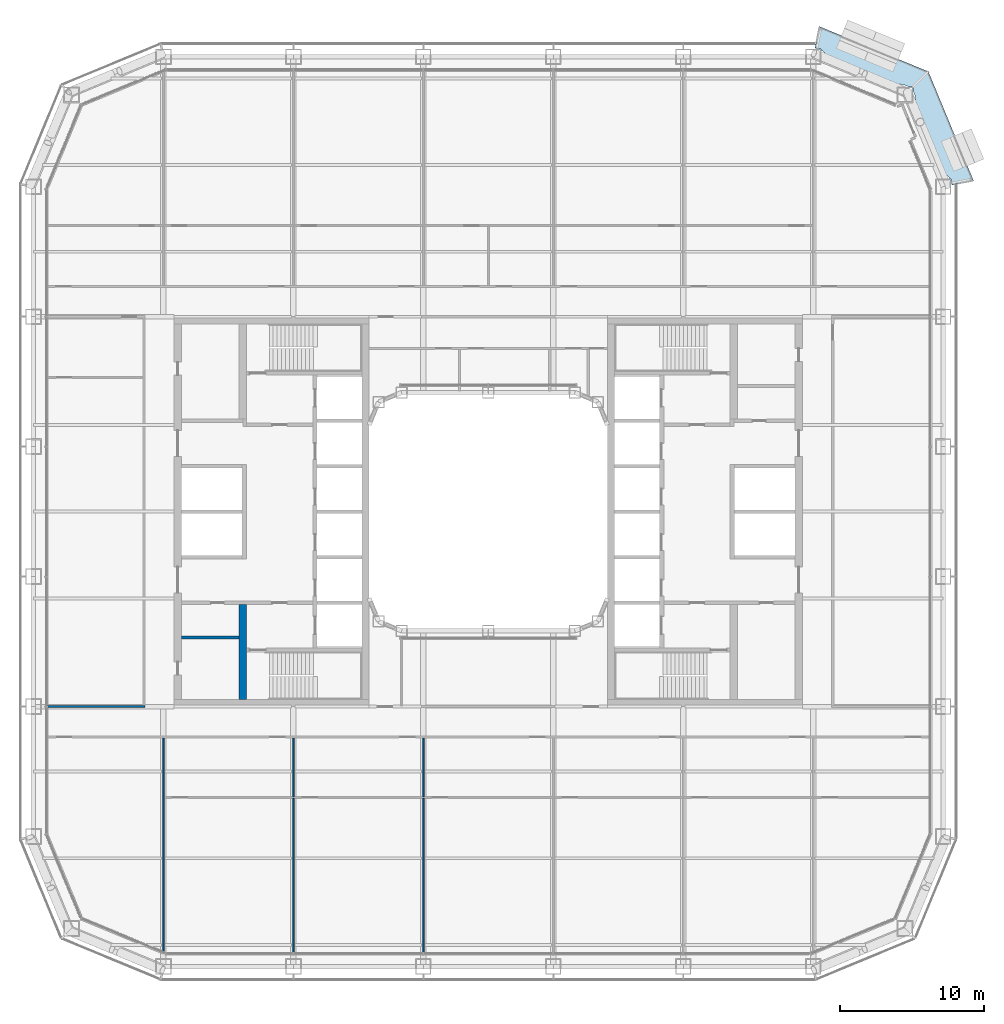
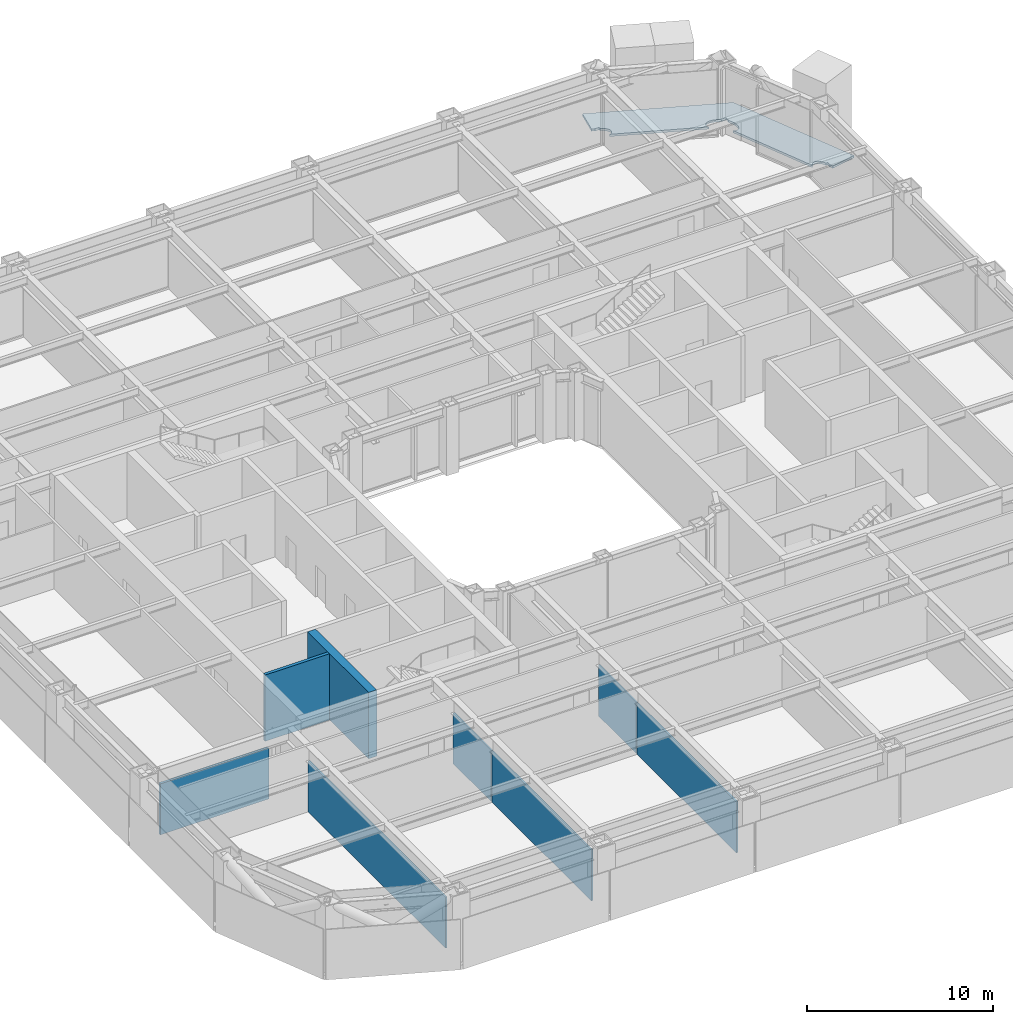
# One storey, part 12 of 30: 8 walls, 1 slab.
"""IFC4 building model written with IfcOpenShell, lengths in metres."""

from ifc_helpers import new_model, si_unit, direction, frame, frame_2d, origin, place, context, subcontext, project, spatial, polyline, rectangle, outline, extrude, material, layer, layer_set, type_object, element, save


model = new_model("IFC4")

# Units and contexts
model_context = context("Model", 3, precision=1e-05, world=origin(), true_north=direction((0.0, 1.0)))
body_context = subcontext(model_context, "Body", "Model", "MODEL_VIEW")
ifc_project = project(units=[si_unit("LENGTHUNIT", "METRE"), si_unit("AREAUNIT", "SQUARE_METRE"), si_unit("VOLUMEUNIT", "CUBIC_METRE"), si_unit("PLANEANGLEUNIT", "RADIAN"), si_unit("MASSUNIT", "GRAM", prefix="KILO")], contexts=[model_context])

# Site, building, storey
site_placement = place(None, origin())
site = spatial("IfcSite", under=ifc_project, at=site_placement, CompositionType="ELEMENT")
building_placement = place(site_placement, origin())
building = spatial("IfcBuilding", under=site, at=building_placement, Name="Siwar Civic Tower", CompositionType="ELEMENT")
storey_placement = place(building_placement, frame((0.0, 0.0, 26.699951171875)))
storey = spatial("IfcBuildingStorey", under=building, at=storey_placement, Name="L05", CompositionType="ELEMENT", Elevation=26.699951171875)

# Slab
ifc_material_1 = material(Name="Concrete C40/50", Category="concrete")
ifc_layer_1 = layer(ifc_material_1, 0.14990234375)
ifc_layer_set_1 = layer_set([ifc_layer_1], Name="Concrete C40/50")
slab_type = type_object("IfcSlabType", Name="ENV-BALCONY DECK 150", PredefinedType="FLOOR", material=ifc_layer_set_1)
slab_placement = place(storey_placement, frame((0.0, 0.0, -0.1494140625)))
element("IfcSlab", 1, at=slab_placement, inside=storey, type_object=slab_type, Name="Tree balcony deck NE", PredefinedType="FLOOR", context=body_context, shape_type="SweptSolid", body=[
    extrude(outline(polyline([(29.4140625, 29.4140625), (29.4140625, 29.133056640625), (29.478759765625, 28.977294921875), (29.49169921875, 28.9462890625), (29.514404296875, 28.891845703125), (29.517578125, 28.884033203125), (29.5185546875, 28.881591796875), (29.5439453125, 28.814208984375), (29.545654296875, 28.80908203125), (29.56591796875, 28.739990234375), (29.567138671875, 28.73486328125), (29.58251953125, 28.66455078125), (29.583984375, 28.6572265625), (29.591064453125, 28.59375), (29.59130859375, 28.59130859375), (29.59716796875, 28.51953125), (29.597412109375, 28.51318359375), (29.59716796875, 28.506591796875), (29.592041015625, 28.45068359375), (29.59130859375, 28.445068359375), (29.58203125, 28.389404296875), (29.5810546875, 28.38427734375), (29.56787109375, 28.32958984375), (29.566162109375, 28.3232421875), (29.56396484375, 28.3173828125), (29.544189453125, 28.271484375), (29.540771484375, 28.264404296875), (29.53662109375, 28.2578125), (29.5107421875, 28.221435546875), (29.507080078125, 28.216552734375), (29.502685546875, 28.2119140625), (29.498291015625, 28.20751953125), (29.467041015625, 28.180908203125), (29.46142578125, 28.1767578125), (29.45556640625, 28.173095703125), (29.449462890625, 28.169921875), (29.413330078125, 28.1533203125), (29.408447265625, 28.151123046875), (29.37109375, 28.13720703125), (29.364501953125, 28.135009765625), (29.35791015625, 28.133544921875), (29.35107421875, 28.132568359375), (29.31005859375, 28.129150390625), (29.3037109375, 28.12890625), (29.297607421875, 28.129150390625), (29.29150390625, 28.1298828125), (29.247314453125, 28.137451171875), (29.23974609375, 28.13916015625), (29.232177734375, 28.1416015625), (29.185791015625, 28.159912109375), (29.179931640625, 28.16259765625), (29.17431640625, 28.16552734375), (29.14599609375, 28.182861328125), (31.20556640625, 23.210693359375), (31.217529296875, 23.260986328125), (31.21923828125, 23.26708984375), (31.2216796875, 23.273193359375), (31.2412109375, 23.31884765625), (31.244873046875, 23.325927734375), (31.2490234375, 23.332763671875), (31.274658203125, 23.369140625), (31.278564453125, 23.3740234375), (31.28271484375, 23.378662109375), (31.287353515625, 23.3828125), (31.318603515625, 23.40966796875), (31.323974609375, 23.413818359375), (31.329833984375, 23.41748046875), (31.3359375, 23.420654296875), (31.3720703125, 23.437255859375), (31.376953125, 23.439453125), (31.414306640625, 23.453369140625), (31.4208984375, 23.45556640625), (31.427734375, 23.45703125), (31.4345703125, 23.4580078125), (31.4755859375, 23.46142578125), (31.481689453125, 23.461669921875), (31.488037109375, 23.461181640625), (31.494140625, 23.46044921875), (31.5380859375, 23.453125), (31.5458984375, 23.451416015625), (31.55322265625, 23.448974609375), (31.599609375, 23.4306640625), (31.60546875, 23.427978515625), (31.611083984375, 23.4248046875), (31.659423828125, 23.3955078125), (31.66357421875, 23.392578125), (31.709716796875, 23.360107421875), (31.717529296875, 23.353515625), (31.764404296875, 23.309814453125), (31.76806640625, 23.30615234375), (31.8115234375, 23.25927734375), (31.815185546875, 23.255126953125), (31.85498046875, 23.205322265625), (31.859619140625, 23.198974609375), (31.898681640625, 23.138671875), (31.9013671875, 23.134033203125), (31.93603515625, 23.07080078125), (31.9384765625, 23.06591796875), (31.94580078125, 23.050048828125), (32.050048828125, 23.050048828125), (32.050048828125, 22.80517578125), (32.0927734375, 22.70263671875), (32.095947265625, 22.69482421875), (32.095947265625, 22.69482421875), (32.098388671875, 22.688232421875), (32.1064453125, 22.662109375), (32.108154296875, 22.6552734375), (32.109375, 22.648193359375), (32.1123046875, 22.621826171875), (33.60009765625, 22.917724609375), (30.47119140625, 30.47119140625), (22.917724609375, 33.60009765625), (22.62109375, 32.1083984375), (22.6259765625, 32.1083984375), (22.6484375, 32.107421875), (22.649658203125, 32.107421875), (22.6513671875, 32.107421875), (22.655029296875, 32.10693359375), (22.656982421875, 32.106689453125), (22.65771484375, 32.1064453125), (22.658447265625, 32.1064453125), (22.66552734375, 32.104736328125), (22.686279296875, 32.098876953125), (22.69482421875, 32.095947265625), (22.70263671875, 32.0927734375), (22.719970703125, 32.085693359375), (22.72607421875, 32.0830078125), (22.749267578125, 32.0732421875), (22.7587890625, 32.0693359375), (22.80517578125, 32.050048828125), (23.050048828125, 32.050048828125), (23.050048828125, 31.94580078125), (23.06591796875, 31.9384765625), (23.07080078125, 31.93603515625), (23.134033203125, 31.9013671875), (23.138671875, 31.898681640625), (23.198974609375, 31.859619140625), (23.205322265625, 31.85498046875), (23.255126953125, 31.815185546875), (23.25927734375, 31.8115234375), (23.30615234375, 31.76806640625), (23.309814453125, 31.764404296875), (23.353515625, 31.717529296875), (23.360107421875, 31.709716796875), (23.392578125, 31.66357421875), (23.3955078125, 31.659423828125), (23.4248046875, 31.611083984375), (23.427978515625, 31.60546875), (23.4306640625, 31.599609375), (23.448974609375, 31.55322265625), (23.451416015625, 31.5458984375), (23.453125, 31.5380859375), (23.46044921875, 31.494140625), (23.461181640625, 31.488037109375), (23.461669921875, 31.481689453125), (23.46142578125, 31.4755859375), (23.4580078125, 31.4345703125), (23.45703125, 31.427734375), (23.45556640625, 31.4208984375), (23.453369140625, 31.414306640625), (23.439453125, 31.376953125), (23.437255859375, 31.3720703125), (23.420654296875, 31.3359375), (23.41748046875, 31.329833984375), (23.413818359375, 31.323974609375), (23.40966796875, 31.318603515625), (23.3828125, 31.287353515625), (23.378662109375, 31.28271484375), (23.3740234375, 31.278564453125), (23.369140625, 31.274658203125), (23.332763671875, 31.2490234375), (23.325927734375, 31.244873046875), (23.31884765625, 31.2412109375), (23.273193359375, 31.2216796875), (23.26708984375, 31.21923828125), (23.260986328125, 31.217529296875), (23.210693359375, 31.20556640625), (28.182861328125, 29.14599609375), (28.16552734375, 29.17431640625), (28.16259765625, 29.179931640625), (28.159912109375, 29.185791015625), (28.1416015625, 29.232177734375), (28.13916015625, 29.23974609375), (28.137451171875, 29.247314453125), (28.1298828125, 29.29150390625), (28.129150390625, 29.297607421875), (28.12890625, 29.3037109375), (28.129150390625, 29.31005859375), (28.132568359375, 29.35107421875), (28.133544921875, 29.35791015625), (28.135009765625, 29.364501953125), (28.13720703125, 29.37109375), (28.151123046875, 29.408447265625), (28.1533203125, 29.413330078125), (28.169921875, 29.449462890625), (28.173095703125, 29.45556640625), (28.1767578125, 29.46142578125), (28.180908203125, 29.467041015625), (28.20751953125, 29.498291015625), (28.2119140625, 29.502685546875), (28.216552734375, 29.507080078125), (28.221435546875, 29.5107421875), (28.2578125, 29.53662109375), (28.264404296875, 29.540771484375), (28.271484375, 29.544189453125), (28.3173828125, 29.56396484375), (28.3232421875, 29.566162109375), (28.32958984375, 29.56787109375), (28.38427734375, 29.5810546875), (28.389404296875, 29.58203125), (28.445068359375, 29.59130859375), (28.45068359375, 29.592041015625), (28.506591796875, 29.59716796875), (28.51318359375, 29.597412109375), (28.51953125, 29.59716796875), (28.59130859375, 29.59130859375), (28.59375, 29.591064453125), (28.6572265625, 29.583984375), (28.66455078125, 29.58251953125), (28.73486328125, 29.567138671875), (28.739990234375, 29.56591796875), (28.80908203125, 29.545654296875), (28.814208984375, 29.5439453125), (28.881591796875, 29.5185546875), (28.884033203125, 29.517578125), (28.891845703125, 29.514404296875), (28.9462890625, 29.49169921875), (28.977294921875, 29.478759765625), (29.10546875, 29.425537109375), (29.116943359375, 29.420654296875), (29.133056640625, 29.4140625), (29.4140625, 29.4140625)])), origin(), (0.0, 0.0, 1.0), 0.1494140625),
])

# Walls
ifc_material_2 = material(Name="Gypsum board on steel studs", Category="steel")
ifc_layer_2 = layer(ifc_material_2, 0.199951171875)
ifc_layer_set_2 = layer_set([ifc_layer_2], Name="Gypsum board on steel studs")
wall_type_1 = type_object("IfcWallType", Name="CORE-PARTITION-200", PredefinedType="PARTITIONING", material=ifc_layer_set_2)
wall_1_placement = place(storey_placement, frame((-17.25, -8.699951171875, 0.0), z_axis=(0.0, 0.0, 1.0), x_axis=(-1.0, 0.0, 0.0)))
element("IfcWall", 2, at=wall_1_placement, inside=storey, type_object=wall_type_1, Name="Core partition W", PredefinedType="PARTITIONING", context=body_context, shape_type="SweptSolid", body=[
    extrude(rectangle(XDim=4.0, YDim=0.199951171875, at=frame_2d((2.0, 0.0))), origin(), (0.0, 0.0, 1.0), 4.35009765625),
])
ifc_material_3 = material(Name="Concrete C60/75", Category="concrete")
ifc_layer_3 = layer(ifc_material_3, 0.5)
ifc_layer_set_3 = layer_set([ifc_layer_3], Name="Concrete C60/75")
wall_type_2 = type_object("IfcWallType", Name="CORE-WALL-RC500", PredefinedType="SHEAR", material=ifc_layer_set_3)
wall_2_placement = place(storey_placement, frame((-17.0, -13.0, 0.0), z_axis=(0.0, 0.0, 1.0), x_axis=(0.0, 1.0, 0.0)))
element("IfcWall", 3, at=wall_2_placement, inside=storey, type_object=wall_type_2, Name="Core wall W", PredefinedType="SHEAR", context=body_context, shape_type="SweptSolid", body=[
    extrude(rectangle(XDim=6.574951171875, YDim=0.5, at=frame_2d((3.28759765625, 0.0))), origin(), (0.0, 0.0, 1.0), 4.35009765625),
])
ifc_material_4 = material(Name="Gypsum board on steel studs", Category="steel")
ifc_layer_4 = layer(ifc_material_4, 0.14990234375)
ifc_layer_set_4 = layer_set([ifc_layer_4], Name="Gypsum board on steel studs")
wall_type_3 = type_object("IfcWallType", Name="CORRIDOR PARTITION 150 EI 30", PredefinedType="PARTITIONING", material=ifc_layer_set_4)
wall_3_placement = place(storey_placement, frame((-30.510009765625, -13.5, 0.0), z_axis=(0.0, 0.0, 1.0), x_axis=(1.0, 0.0, 0.0)))
element("IfcWall", 4, at=wall_3_placement, inside=storey, type_object=wall_type_3, Name="L05/wall/P03", PredefinedType="PARTITIONING", context=body_context, shape_type="SweptSolid", body=[
    extrude(rectangle(XDim=6.735107421875, YDim=0.14990234375, at=frame_2d((3.36767578125, 0.0))), origin(), (0.0, 0.0, 1.0), 3.35009765625),
])
ifc_material_5 = material(Name="Gypsum board on steel studs", Category="steel")
ifc_layer_5 = layer(ifc_material_5, 0.10009765625)
ifc_layer_set_5 = layer_set([ifc_layer_5], Name="Gypsum board on steel studs")
wall_type_4 = type_object("IfcWallType", Name="PARTITION 100 GYPSUM", PredefinedType="PARTITIONING", material=ifc_layer_set_5)
wall_4_placement = place(storey_placement, frame((-22.5, -30.427978515625, 0.0), z_axis=(0.0, 0.0, 1.0), x_axis=(0.0, 1.0, 0.0)))
element("IfcWall", 5, at=wall_4_placement, inside=storey, type_object=wall_type_4, Name="L05/wall/P15", PredefinedType="PARTITIONING", context=body_context, shape_type="SweptSolid", body=[
    extrude(rectangle(XDim=14.7529296875, YDim=0.10009765625, at=frame_2d((7.37646484375, 0.0))), origin(), (0.0, 0.0, 1.0), 3.35009765625),
])
wall_5_placement = place(storey_placement, frame((-13.5, -30.510009765625, 0.0), z_axis=(0.0, 0.0, 1.0), x_axis=(0.0, 1.0, 0.0)))
element("IfcWall", 6, at=wall_5_placement, inside=storey, type_object=wall_type_4, Name="L05/wall/P18", PredefinedType="PARTITIONING", context=body_context, shape_type="SweptSolid", body=[
    extrude(rectangle(XDim=10.659912109375, YDim=0.10009765625, at=frame_2d((5.330078125, 0.0))), origin(), (0.0, 0.0, 1.0), 3.35009765625),
])
wall_6_placement = place(storey_placement, frame((-13.5, -19.75, 0.0), z_axis=(0.0, 0.0, 1.0), x_axis=(0.0, 1.0, 0.0)))
element("IfcWall", 7, at=wall_6_placement, inside=storey, type_object=wall_type_4, Name="L05/wall/P19", PredefinedType="PARTITIONING", context=body_context, shape_type="SweptSolid", body=[
    extrude(rectangle(XDim=4.074951171875, YDim=0.10009765625, at=frame_2d((2.03759765625, 0.0))), origin(), (0.0, 0.0, 1.0), 3.35009765625),
])
wall_7_placement = place(storey_placement, frame((-4.5, -30.510009765625, 0.0), z_axis=(0.0, 0.0, 1.0), x_axis=(0.0, 1.0, 0.0)))
element("IfcWall", 8, at=wall_7_placement, inside=storey, type_object=wall_type_4, Name="L05/wall/P23", PredefinedType="PARTITIONING", context=body_context, shape_type="SweptSolid", body=[
    extrude(rectangle(XDim=10.659912109375, YDim=0.10009765625, at=frame_2d((5.330078125, 0.0))), origin(), (0.0, 0.0, 1.0), 3.35009765625),
])
wall_8_placement = place(storey_placement, frame((-4.5, -19.75, 0.0), z_axis=(0.0, 0.0, 1.0), x_axis=(0.0, 1.0, 0.0)))
element("IfcWall", 9, at=wall_8_placement, inside=storey, type_object=wall_type_4, Name="L05/wall/P24", PredefinedType="PARTITIONING", context=body_context, shape_type="SweptSolid", body=[
    extrude(rectangle(XDim=4.074951171875, YDim=0.10009765625, at=frame_2d((2.03759765625, 0.0))), origin(), (0.0, 0.0, 1.0), 3.35009765625),
])

save(model, "model.ifc")
